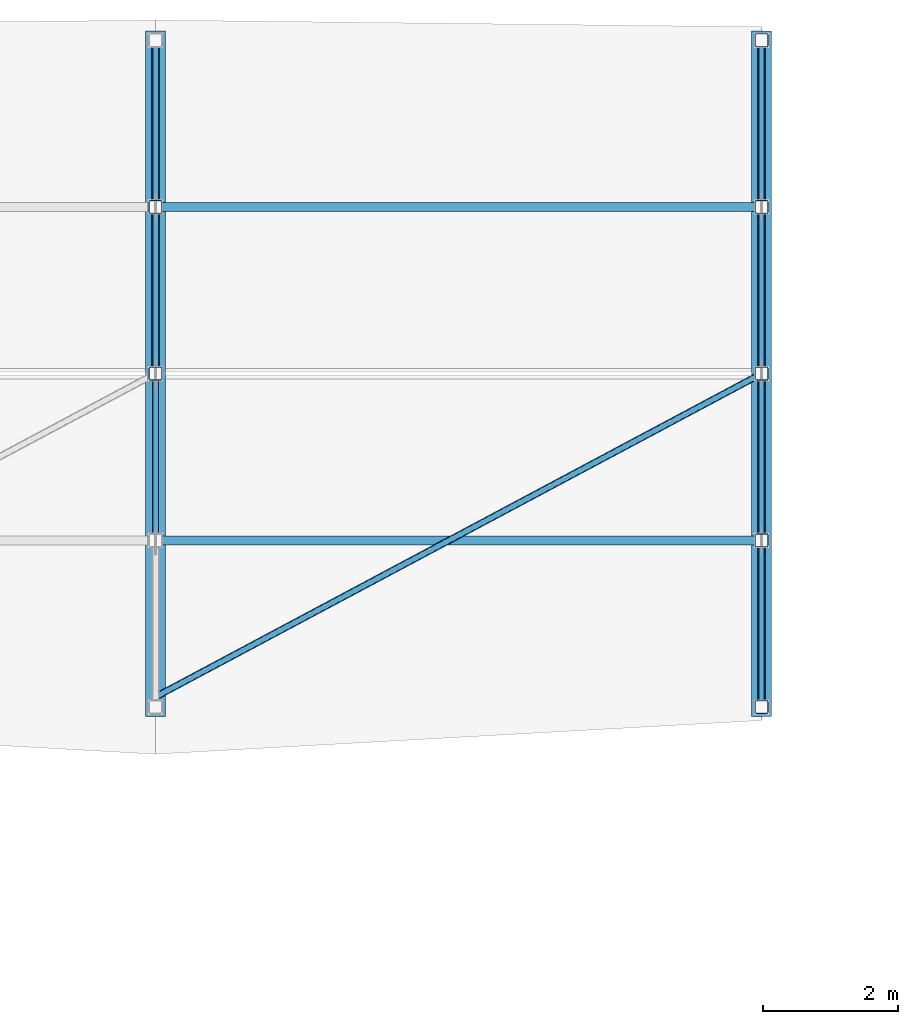
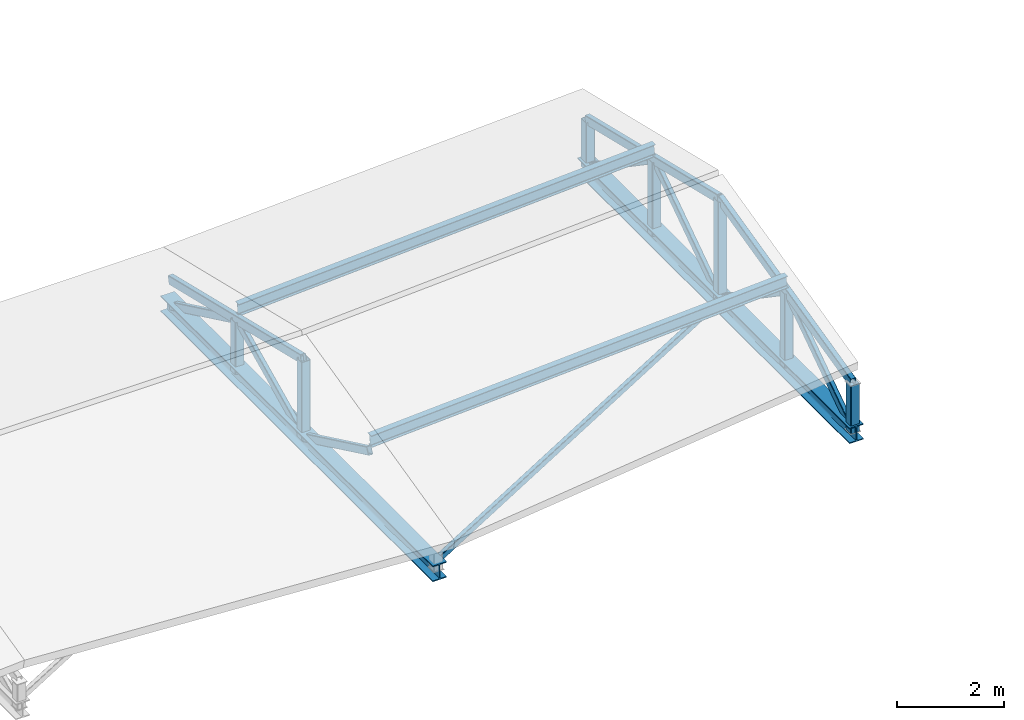
# One storey, part 32 of 90: 20 members, 2 beams.
"""IFC4 building model written with IfcOpenShell, lengths in metres."""

from ifc_helpers import new_model, si_unit, direction, frame, origin, origin_2d, place, context, subcontext, project, spatial, hollow_rectangle, i_section, extrude, material, material_profile, profile_set, type_object, element, save


model = new_model("IFC4")

# Units and contexts
model_context = context("Model", 3, precision=1e-05, world=origin(), true_north=direction((0.0, 1.0)))
body_context = subcontext(model_context, "Body", "Model", "MODEL_VIEW")
ifc_project = project(units=[si_unit("LENGTHUNIT", "METRE"), si_unit("AREAUNIT", "SQUARE_METRE"), si_unit("VOLUMEUNIT", "CUBIC_METRE"), si_unit("PLANEANGLEUNIT", "RADIAN"), si_unit("MASSUNIT", "GRAM", prefix="KILO")], contexts=[model_context])

# Site, building, storey
site_placement = place(None, origin())
site = spatial("IfcSite", under=ifc_project, at=site_placement, CompositionType="ELEMENT")
building_placement = place(site_placement, origin())
building = spatial("IfcBuilding", under=site, at=building_placement, Name="Bozkorgan Art Gallery", CompositionType="ELEMENT")
storey_placement = place(building_placement, frame((0.0, 0.0, 5.39990234375)))
storey = spatial("IfcBuildingStorey", under=building, at=storey_placement, Name="L01", CompositionType="ELEMENT", Elevation=5.39990234375)

# Beams
ifc_material = material(Name="Steel S355J2", Category="steel")
ifc_material_profile_1 = material_profile(ifc_material, i_section(OverallWidth=0.300048828125, OverallDepth=0.360107421875, WebThickness=0.012451171875, FlangeThickness=0.0224609375, FilletRadius=0.027099609375, at=origin_2d()), Name="HEB 360")
ifc_profile_set_1 = profile_set([ifc_material_profile_1], Name="Steel S355J2")
beam_type = type_object("IfcBeamType", Name="BEAM-TB-47", PredefinedType="BEAM", material=ifc_profile_set_1)
for number, where, z_axis, x_axis, name in (
    (1, (38.0, 102.510009765625, 0.18017578125), (0.0, 1.0, 0.0), (-1.0, 0.0, 0.0), "ROOF-V2-NORTH roof truss 3 bottom chord"),
    (2, (47.0, 102.510009765625, 0.18017578125), (0.0, 1.0, 0.0), (-1.0, 0.0, 0.0), "ROOF-V2-NORTH roof truss 4 bottom chord"),
):
    element("IfcBeam", number, at=place(storey_placement, frame(where, z_axis=z_axis, x_axis=x_axis)), inside=storey, type_object=beam_type, Name=name, PredefinedType="BEAM", context=body_context, shape_type="SweptSolid", body=[
        extrude(i_section(OverallWidth=0.300048828125, OverallDepth=0.360107421875, WebThickness=0.012451171875, FlangeThickness=0.0224609375, FilletRadius=0.027099609375, at=origin_2d()), origin(), (0.0, 0.0, 1.0), 10.179931640625),
    ])

# Members
ifc_material_profile_2 = material_profile(ifc_material, i_section(OverallWidth=0.135009765625, OverallDepth=0.27001953125, WebThickness=0.006591796875, FlangeThickness=0.01025390625, FilletRadius=0.014892578125, at=origin_2d()), Name="IPE 270")
ifc_profile_set_2 = profile_set([ifc_material_profile_2], Name="Steel S355J2")
member_type_1 = type_object("IfcMemberType", Name="MEMBER-PR-57", PredefinedType="PURLIN", material=ifc_profile_set_2)
for number, where, z_axis, x_axis, name in (
    (3, (38.0, 105.125, 1.598876953125), (0.998436258871, 0.0, 0.055902030119), (0.0, 1.0, 0.0), "ROOF-V2-NORTH roof purlin 3S"),
    (4, (38.0, 110.074951171875, 1.598876953125), (0.998436258871, 0.0, 0.055902030119), (0.0, 1.0, 0.0), "ROOF-V2-NORTH roof purlin 3N"),
):
    element("IfcMember", number, at=place(storey_placement, frame(where, z_axis=z_axis, x_axis=x_axis)), inside=storey, type_object=member_type_1, Name=name, PredefinedType="PURLIN", context=body_context, shape_type="SweptSolid", body=[
        extrude(i_section(OverallWidth=0.135009765625, OverallDepth=0.27001953125, WebThickness=0.006591796875, FlangeThickness=0.01025390625, FilletRadius=0.014892578125, at=origin_2d()), origin(), (0.0, 0.0, 1.0), 9.01416015625),
    ])
ifc_material_profile_3 = material_profile(ifc_material, hollow_rectangle(XDim=0.1201171875, YDim=0.199951171875, WallThickness=0.008056640625, InnerFilletRadius=0.011962890625, OuterFilletRadius=0.02001953125, at=origin_2d()), Name="RHS 200x120x8")
ifc_profile_set_3 = profile_set([ifc_material_profile_3], Name="Steel S355J2")
member_type_2 = type_object("IfcMemberType", Name="MEMBER-TC-48", PredefinedType="CHORD", material=ifc_profile_set_3)
member_1_placement = place(storey_placement, frame((38.0, 107.60009765625, 1.958251953125), z_axis=(0.0, 0.972365531257, -0.233463645187), x_axis=(-1.0, 0.0, 0.0)))
element("IfcMember", 5, at=member_1_placement, inside=storey, type_object=member_type_2, Name="ROOF-V2-NORTH roof truss 3 north top chord", PredefinedType="CHORD", context=body_context, shape_type="SweptSolid", body=[
    extrude(hollow_rectangle(XDim=0.1201171875, YDim=0.199951171875, WallThickness=0.008056640625, InnerFilletRadius=0.011962890625, OuterFilletRadius=0.02001953125, at=origin_2d()), origin(), (0.0, 0.0, 1.0), 5.090576171875),
])
member_2_placement = place(storey_placement, frame((47.0, 102.64990234375, 1.2734375), z_axis=(0.0, 0.972368145084, 0.233452758447), x_axis=(-1.0, 0.0, 0.0)))
element("IfcMember", 6, at=member_2_placement, inside=storey, type_object=member_type_2, Name="ROOF-V2-NORTH roof truss 4 south top chord", PredefinedType="CHORD", context=body_context, shape_type="SweptSolid", body=[
    extrude(hollow_rectangle(XDim=0.1201171875, YDim=0.199951171875, WallThickness=0.008056640625, InnerFilletRadius=0.011962890625, OuterFilletRadius=0.02001953125, at=origin_2d()), origin(), (0.0, 0.0, 1.0), 5.0908203125),
])
member_3_placement = place(storey_placement, frame((47.0, 107.60009765625, 2.4619140625), z_axis=(0.0, 0.972365531257, -0.233463645187), x_axis=(-1.0, 0.0, 0.0)))
element("IfcMember", 7, at=member_3_placement, inside=storey, type_object=member_type_2, Name="ROOF-V2-NORTH roof truss 4 north top chord", PredefinedType="CHORD", context=body_context, shape_type="SweptSolid", body=[
    extrude(hollow_rectangle(XDim=0.1201171875, YDim=0.199951171875, WallThickness=0.008056640625, InnerFilletRadius=0.011962890625, OuterFilletRadius=0.02001953125, at=origin_2d()), origin(), (0.0, 0.0, 1.0), 5.090576171875),
])
ifc_material_profile_4 = material_profile(ifc_material, hollow_rectangle(XDim=0.199951171875, YDim=0.199951171875, WallThickness=0.010009765625, InnerFilletRadius=0.014892578125, OuterFilletRadius=0.02490234375, at=origin_2d()), Name="SHS 200x200x10")
ifc_profile_set_4 = profile_set([ifc_material_profile_4], Name="Steel S355J2")
member_type_3 = type_object("IfcMemberType", Name="MEMBER-TP-32", PredefinedType="POST", material=ifc_profile_set_4)
member_4_placement = place(storey_placement, frame((38.0, 107.60009765625, 0.18017578125), z_axis=(0.0, 0.0, 1.0), x_axis=(1.0, 0.0, 0.0)))
element("IfcMember", 8, at=member_4_placement, inside=storey, type_object=member_type_3, Name="ROOF-V2-NORTH roof truss 3 post 2", PredefinedType="POST", context=body_context, shape_type="SweptSolid", body=[
    extrude(hollow_rectangle(XDim=0.199951171875, YDim=0.199951171875, WallThickness=0.010009765625, InnerFilletRadius=0.014892578125, OuterFilletRadius=0.02490234375, at=origin_2d()), origin(), (0.0, 0.0, 1.0), 1.778076171875),
])
member_5_placement = place(storey_placement, frame((38.0, 110.074951171875, 0.18017578125), z_axis=(0.0, 0.0, 1.0), x_axis=(1.0, 0.0, 0.0)))
element("IfcMember", 9, at=member_5_placement, inside=storey, type_object=member_type_3, Name="ROOF-V2-NORTH roof truss 3 post 3", PredefinedType="POST", context=body_context, shape_type="SweptSolid", body=[
    extrude(hollow_rectangle(XDim=0.199951171875, YDim=0.199951171875, WallThickness=0.010009765625, InnerFilletRadius=0.014892578125, OuterFilletRadius=0.02490234375, at=origin_2d()), origin(), (0.0, 0.0, 1.0), 1.183837890625),
])
member_6_placement = place(storey_placement, frame((47.0, 102.64990234375, 0.18017578125), z_axis=(0.0, 0.0, 1.0), x_axis=(1.0, 0.0, 0.0)))
element("IfcMember", 10, at=member_6_placement, inside=storey, type_object=member_type_3, Name="ROOF-V2-NORTH roof truss 4 post 0", PredefinedType="POST", context=body_context, shape_type="SweptSolid", body=[
    extrude(hollow_rectangle(XDim=0.199951171875, YDim=0.199951171875, WallThickness=0.010009765625, InnerFilletRadius=0.014892578125, OuterFilletRadius=0.02490234375, at=origin_2d()), origin(), (0.0, 0.0, 1.0), 1.09326171875),
])
member_7_placement = place(storey_placement, frame((47.0, 105.125, 0.18017578125), z_axis=(0.0, 0.0, 1.0), x_axis=(1.0, 0.0, 0.0)))
element("IfcMember", 11, at=member_7_placement, inside=storey, type_object=member_type_3, Name="ROOF-V2-NORTH roof truss 4 post 1", PredefinedType="POST", context=body_context, shape_type="SweptSolid", body=[
    extrude(hollow_rectangle(XDim=0.199951171875, YDim=0.199951171875, WallThickness=0.010009765625, InnerFilletRadius=0.014892578125, OuterFilletRadius=0.02490234375, at=origin_2d()), origin(), (0.0, 0.0, 1.0), 1.6875),
])
member_8_placement = place(storey_placement, frame((47.0, 107.60009765625, 0.18017578125), z_axis=(0.0, 0.0, 1.0), x_axis=(1.0, 0.0, 0.0)))
element("IfcMember", 12, at=member_8_placement, inside=storey, type_object=member_type_3, Name="ROOF-V2-NORTH roof truss 4 post 2", PredefinedType="POST", context=body_context, shape_type="SweptSolid", body=[
    extrude(hollow_rectangle(XDim=0.199951171875, YDim=0.199951171875, WallThickness=0.010009765625, InnerFilletRadius=0.014892578125, OuterFilletRadius=0.02490234375, at=origin_2d()), origin(), (0.0, 0.0, 1.0), 2.28173828125),
])
member_9_placement = place(storey_placement, frame((47.0, 110.074951171875, 0.18017578125), z_axis=(0.0, 0.0, 1.0), x_axis=(1.0, 0.0, 0.0)))
element("IfcMember", 13, at=member_9_placement, inside=storey, type_object=member_type_3, Name="ROOF-V2-NORTH roof truss 4 post 3", PredefinedType="POST", context=body_context, shape_type="SweptSolid", body=[
    extrude(hollow_rectangle(XDim=0.199951171875, YDim=0.199951171875, WallThickness=0.010009765625, InnerFilletRadius=0.014892578125, OuterFilletRadius=0.02490234375, at=origin_2d()), origin(), (0.0, 0.0, 1.0), 1.6875),
])
member_10_placement = place(storey_placement, frame((47.0, 112.550048828125, 0.18017578125), z_axis=(0.0, 0.0, 1.0), x_axis=(1.0, 0.0, 0.0)))
element("IfcMember", 14, at=member_10_placement, inside=storey, type_object=member_type_3, Name="ROOF-V2-NORTH roof truss 4 post 4", PredefinedType="POST", context=body_context, shape_type="SweptSolid", body=[
    extrude(hollow_rectangle(XDim=0.199951171875, YDim=0.199951171875, WallThickness=0.010009765625, InnerFilletRadius=0.014892578125, OuterFilletRadius=0.02490234375, at=origin_2d()), origin(), (0.0, 0.0, 1.0), 1.09326171875),
])
ifc_material_profile_5 = material_profile(ifc_material, hollow_rectangle(XDim=0.10009765625, YDim=0.179931640625, WallThickness=0.008056640625, InnerFilletRadius=0.011962890625, OuterFilletRadius=0.02001953125, at=origin_2d()), Name="RHS 180x100x8")
ifc_profile_set_5 = profile_set([ifc_material_profile_5], Name="Steel S355J2")
member_type_4 = type_object("IfcMemberType", Name="MEMBER-TW-22", PredefinedType="BRACE", material=ifc_profile_set_5)
member_11_placement = place(storey_placement, frame((38.0, 105.125, 1.364013671875), z_axis=(0.0, 0.90212066823, -0.4314838351), x_axis=(-1.0, 0.0, 0.0)))
element("IfcMember", 15, at=member_11_placement, inside=storey, type_object=member_type_4, Name="ROOF-V2-NORTH roof truss 3 diagonal 2", PredefinedType="BRACE", context=body_context, shape_type="SweptSolid", body=[
    extrude(hollow_rectangle(XDim=0.10009765625, YDim=0.179931640625, WallThickness=0.008056640625, InnerFilletRadius=0.011962890625, OuterFilletRadius=0.02001953125, at=origin_2d()), origin(), (0.0, 0.0, 1.0), 2.74365234375),
])
member_12_placement = place(storey_placement, frame((38.0, 107.60009765625, 0.18017578125), z_axis=(0.0, 0.902104099329, 0.431518474662), x_axis=(-1.0, 0.0, 0.0)))
element("IfcMember", 16, at=member_12_placement, inside=storey, type_object=member_type_4, Name="ROOF-V2-NORTH roof truss 3 diagonal 3", PredefinedType="BRACE", context=body_context, shape_type="SweptSolid", body=[
    extrude(hollow_rectangle(XDim=0.10009765625, YDim=0.179931640625, WallThickness=0.008056640625, InnerFilletRadius=0.011962890625, OuterFilletRadius=0.02001953125, at=origin_2d()), origin(), (0.0, 0.0, 1.0), 2.743408203125),
])
member_13_placement = place(storey_placement, frame((38.0, 110.074951171875, 1.364013671875), z_axis=(0.0, 0.90212066823, -0.4314838351), x_axis=(-1.0, 0.0, 0.0)))
element("IfcMember", 17, at=member_13_placement, inside=storey, type_object=member_type_4, Name="ROOF-V2-NORTH roof truss 3 diagonal 4", PredefinedType="BRACE", context=body_context, shape_type="SweptSolid", body=[
    extrude(hollow_rectangle(XDim=0.10009765625, YDim=0.179931640625, WallThickness=0.008056640625, InnerFilletRadius=0.011962890625, OuterFilletRadius=0.02001953125, at=origin_2d()), origin(), (0.0, 0.0, 1.0), 2.74365234375),
])
for number, where, z_axis, x_axis, name in (
    (18, (47.0, 102.64990234375, 0.18017578125), (0.0, 0.826237688109, 0.563321651234), (-1.0, 0.0, 0.0), "ROOF-V2-NORTH roof truss 4 diagonal 1"),
    (19, (47.0, 105.125, 1.86767578125), (0.0, 0.826237688109, -0.563321651234), (-1.0, 0.0, 0.0), "ROOF-V2-NORTH roof truss 4 diagonal 2"),
):
    element("IfcMember", number, at=place(storey_placement, frame(where, z_axis=z_axis, x_axis=x_axis)), inside=storey, type_object=member_type_4, Name=name, PredefinedType="BRACE", context=body_context, shape_type="SweptSolid", body=[
        extrude(hollow_rectangle(XDim=0.10009765625, YDim=0.179931640625, WallThickness=0.008056640625, InnerFilletRadius=0.011962890625, OuterFilletRadius=0.02001953125, at=origin_2d()), origin(), (0.0, 0.0, 1.0), 2.99560546875),
    ])
member_14_placement = place(storey_placement, frame((47.0, 107.60009765625, 0.18017578125), z_axis=(0.0, 0.826211823288, 0.56335958593), x_axis=(-1.0, 0.0, 0.0)))
element("IfcMember", 20, at=member_14_placement, inside=storey, type_object=member_type_4, Name="ROOF-V2-NORTH roof truss 4 diagonal 3", PredefinedType="BRACE", context=body_context, shape_type="SweptSolid", body=[
    extrude(hollow_rectangle(XDim=0.10009765625, YDim=0.179931640625, WallThickness=0.008056640625, InnerFilletRadius=0.011962890625, OuterFilletRadius=0.02001953125, at=origin_2d()), origin(), (0.0, 0.0, 1.0), 2.995361328125),
])
member_15_placement = place(storey_placement, frame((47.0, 110.074951171875, 1.86767578125), z_axis=(0.0, 0.826237688109, -0.563321651234), x_axis=(-1.0, 0.0, 0.0)))
element("IfcMember", 21, at=member_15_placement, inside=storey, type_object=member_type_4, Name="ROOF-V2-NORTH roof truss 4 diagonal 4", PredefinedType="BRACE", context=body_context, shape_type="SweptSolid", body=[
    extrude(hollow_rectangle(XDim=0.10009765625, YDim=0.179931640625, WallThickness=0.008056640625, InnerFilletRadius=0.011962890625, OuterFilletRadius=0.02001953125, at=origin_2d()), origin(), (0.0, 0.0, 1.0), 2.99560546875),
])
ifc_material_profile_6 = material_profile(ifc_material, hollow_rectangle(XDim=0.10009765625, YDim=0.14990234375, WallThickness=0.008056640625, InnerFilletRadius=0.011962890625, OuterFilletRadius=0.02001953125, at=origin_2d()), Name="RHS 150x100x8")
ifc_profile_set_6 = profile_set([ifc_material_profile_6], Name="Steel S355J2")
member_type_5 = type_object("IfcMemberType", Name="MEMBER-WB-10", PredefinedType="BRACE", material=ifc_profile_set_6)
member_16_placement = place(storey_placement, frame((38.0, 102.800048828125, 0.18017578125), z_axis=(0.882350953462, 0.47059196224, 0.0), x_axis=(-0.47059196224, 0.882350953462, 0.0)))
element("IfcMember", 22, at=member_16_placement, inside=storey, type_object=member_type_5, Name="ROOF-V2-NORTH roof diaphragm wind brace 3", PredefinedType="BRACE", context=body_context, shape_type="SweptSolid", body=[
    extrude(hollow_rectangle(XDim=0.10009765625, YDim=0.14990234375, WallThickness=0.008056640625, InnerFilletRadius=0.011962890625, OuterFilletRadius=0.02001953125, at=origin_2d()), origin(), (0.0, 0.0, 1.0), 10.199951171875),
])

save(model, "model.ifc")
